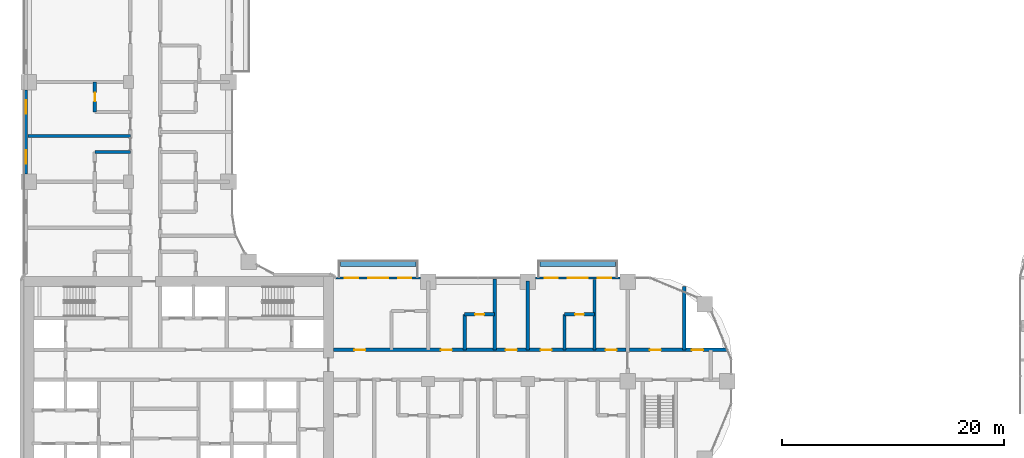
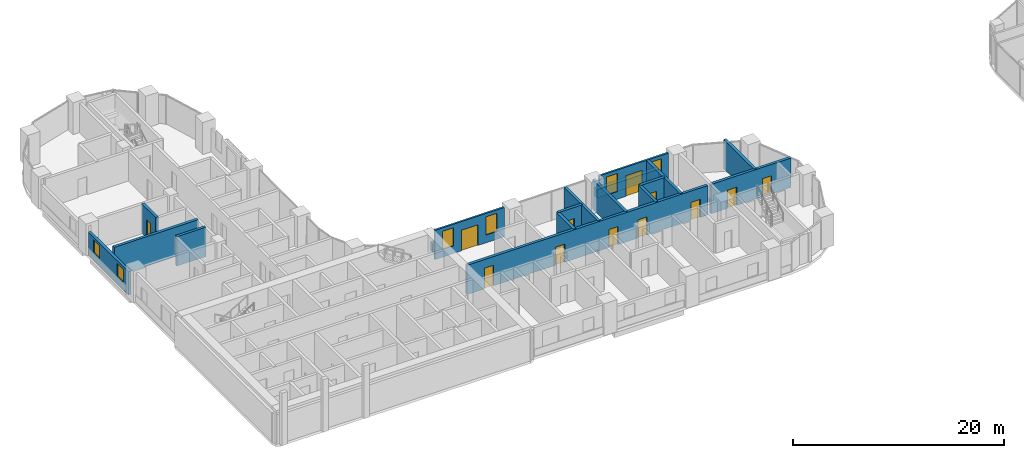
# One storey, part 17 of 30: 18 walls, 12 doors, 6 windows, 18 openings.
"""IFC4 building model written with IfcOpenShell, lengths in metres."""

from ifc_helpers import new_model, si_unit, direction, frame, frame_2d, origin, origin_2d, place, context, subcontext, project, spatial, rectangle, extrude, material, layer, layer_set, type_object, element, fill, save


model = new_model("IFC4")

# Units and contexts
model_context = context("Model", 3, precision=1e-05, world=origin(), true_north=direction((0.0, 1.0)))
body_context = subcontext(model_context, "Body", "Model", "MODEL_VIEW")
ifc_project = project(units=[si_unit("LENGTHUNIT", "METRE"), si_unit("AREAUNIT", "SQUARE_METRE"), si_unit("VOLUMEUNIT", "CUBIC_METRE"), si_unit("PLANEANGLEUNIT", "RADIAN"), si_unit("MASSUNIT", "GRAM", prefix="KILO")], contexts=[model_context])

# Site, building, storey
site_placement = place(None, origin())
site = spatial("IfcSite", under=ifc_project, at=site_placement, CompositionType="ELEMENT")
building_placement = place(site_placement, origin())
building = spatial("IfcBuilding", under=site, at=building_placement, Name="Ogive Portal Towers", CompositionType="ELEMENT")
storey_placement = place(building_placement, frame((0.0, 0.0, 37.199951171875)))
storey = spatial("IfcBuildingStorey", under=building, at=storey_placement, Name="L07", CompositionType="ELEMENT", Elevation=37.199951171875)

# Wall, openings, door, windows
ifc_material_1 = material(Name="Limestone cladding on lightweight block wall", Category="masonry")
ifc_layer_1 = layer(ifc_material_1, 0.199951171875)
ifc_layer_set_1 = layer_set([ifc_layer_1], Name="BALCONY BAY WALL 200")
wall_type_1 = type_object("IfcWallType", Name="BALCONY BAY WALL 200", PredefinedType="SOLIDWALL", material=ifc_layer_set_1)
wall_1_placement = place(storey_placement, frame((77.199951171875, 39.824951171875, 0.0), z_axis=(0.0, 0.0, 1.0), x_axis=(1.0, 0.0, 0.0)))
wall_1 = element("IfcWall", 1, at=wall_1_placement, inside=storey, type_object=wall_type_1, Name="A:L07:f27:bay0", PredefinedType="SOLIDWALL", context=body_context, shape_type="SweptSolid", body=[
    extrude(rectangle(XDim=7.60009765625, YDim=0.199951171875, at=frame_2d((3.800048828125, 0.0))), origin(), (0.0, 0.0, 1.0), 3.400146484375),
])
opening_1_placement = place(wall_1_placement, frame((2.89990234375, 0.0, 0.0)))
opening_1 = element("IfcOpeningElement", 2, at=opening_1_placement, cuts=wall_1, Name="Opening DX023", PredefinedType="OPENING", context=body_context, shape_type="SweptSolid", body=[
    extrude(rectangle(XDim=1.800048828125, YDim=2.39990234375, at=frame_2d((0.89990234375, 1.199951171875))), frame((0.0, 0.10986328125, 0.0), z_axis=(0.0, -1.0, 0.0), x_axis=(1.0, 0.0, 0.0)), (0.0, 0.0, 1.0), 0.219970703125),
])
opening_2_placement = place(wall_1_placement, frame((5.60009765625, 0.0, 0.89990234375)))
opening_2 = element("IfcOpeningElement", 3, at=opening_2_placement, cuts=wall_1, Name="Opening WN2", PredefinedType="OPENING", context=body_context, shape_type="SweptSolid", body=[
    extrude(rectangle(XDim=1.199951171875, YDim=2.10009765625, at=frame_2d((0.60009765625, 1.050048828125))), frame((0.0, 0.10986328125, 0.0), z_axis=(0.0, -1.0, 0.0), x_axis=(1.0, 0.0, 0.0)), (0.0, 0.0, 1.0), 0.219970703125),
])
opening_3_placement = place(wall_1_placement, frame((0.800048828125, 0.0, 0.89990234375)))
opening_3 = element("IfcOpeningElement", 4, at=opening_3_placement, cuts=wall_1, Name="Opening WN2", PredefinedType="OPENING", context=body_context, shape_type="SweptSolid", body=[
    extrude(rectangle(XDim=1.199951171875, YDim=2.10009765625, at=frame_2d((0.60009765625, 1.050048828125))), frame((0.0, 0.10986328125, 0.0), z_axis=(0.0, -1.0, 0.0), x_axis=(1.0, 0.0, 0.0)), (0.0, 0.0, 1.0), 0.219970703125),
])
ifc_material_2 = material(Name="Aluminium 6063 anodised", Category="aluminium")
door_type_1 = type_object("IfcDoorType", Name="BALCONY DOOR 1800x2400", OperationType="DOUBLE_DOOR_SINGLE_SWING", PredefinedType="DOOR", material=ifc_material_2)
door_1_placement = place(opening_1_placement, origin())
door_1 = element("IfcDoor", 5, at=door_1_placement, inside=storey, type_object=door_type_1, Name="A:L07:f27:bay0/o0", OperationType="SINGLE_SWING_LEFT", OverallHeight=2.39990234375, OverallWidth=1.800048828125, PredefinedType="DOOR", context=body_context, shape_type="SweptSolid", body=[
    extrude(rectangle(XDim=1.800048828125, YDim=2.39990234375, at=frame_2d((0.89990234375, 1.199951171875))), frame((0.0, 0.02490234375, 0.0), z_axis=(0.0, -1.0, 0.0), x_axis=(1.0, 0.0, 0.0)), (0.0, 0.0, 1.0), 0.050048828125),
])
fill(opening_1, door_1)
ifc_material_3 = material(Name="Glass, clear low-iron insulated glazing", Category="glass")
window_type_1 = type_object("IfcWindowType", Name="WINDOW BALCONY BAY 1200x2100", PartitioningType="SINGLE_PANEL", PredefinedType="WINDOW", material=ifc_material_3)
window_1_placement = place(opening_2_placement, origin())
window_1 = element("IfcWindow", 6, at=window_1_placement, inside=storey, type_object=window_type_1, Name="A:L07:f27:bay0/o1", OverallHeight=2.10009765625, OverallWidth=1.199951171875, PartitioningType="SINGLE_PANEL", PredefinedType="WINDOW", context=body_context, shape_type="SweptSolid", body=[
    extrude(rectangle(XDim=1.199951171875, YDim=2.10009765625, at=frame_2d((0.60009765625, 1.050048828125))), frame((0.0, 0.030029296875, 0.0), z_axis=(0.0, -1.0, 0.0), x_axis=(1.0, 0.0, 0.0)), (0.0, 0.0, 1.0), 0.06005859375),
])
fill(opening_2, window_1)
window_2_placement = place(opening_3_placement, origin())
window_2 = element("IfcWindow", 7, at=window_2_placement, inside=storey, type_object=window_type_1, Name="A:L07:f27:bay0/o2", OverallHeight=2.10009765625, OverallWidth=1.199951171875, PartitioningType="SINGLE_PANEL", PredefinedType="WINDOW", context=body_context, shape_type="SweptSolid", body=[
    extrude(rectangle(XDim=1.199951171875, YDim=2.10009765625, at=frame_2d((0.60009765625, 1.050048828125))), frame((0.0, 0.030029296875, 0.0), z_axis=(0.0, -1.0, 0.0), x_axis=(1.0, 0.0, 0.0)), (0.0, 0.0, 1.0), 0.06005859375),
])
fill(opening_3, window_2)

wall_2_placement = place(storey_placement, frame((59.206787109375, 39.824951171875, 0.0), z_axis=(0.0, 0.0, 1.0), x_axis=(1.0, 0.0, 0.0)))
wall_2 = element("IfcWall", 8, at=wall_2_placement, inside=storey, type_object=wall_type_1, Name="A:L07:f27:bay1", PredefinedType="SOLIDWALL", context=body_context, shape_type="SweptSolid", body=[
    extrude(rectangle(XDim=7.59326171875, YDim=0.199951171875, at=frame_2d((3.796630859375, 0.0))), origin(), (0.0, 0.0, 1.0), 3.400146484375),
])
opening_4_placement = place(wall_2_placement, frame((2.893310546875, 0.0, 0.0)))
opening_4 = element("IfcOpeningElement", 9, at=opening_4_placement, cuts=wall_2, Name="Opening DX024", PredefinedType="OPENING", context=body_context, shape_type="SweptSolid", body=[
    extrude(rectangle(XDim=1.800048828125, YDim=2.39990234375, at=frame_2d((0.89990234375, 1.199951171875))), frame((0.0, 0.10986328125, 0.0), z_axis=(0.0, -1.0, 0.0), x_axis=(1.0, 0.0, 0.0)), (0.0, 0.0, 1.0), 0.219970703125),
])
opening_5_placement = place(wall_2_placement, frame((5.59326171875, 0.0, 0.89990234375)))
opening_5 = element("IfcOpeningElement", 10, at=opening_5_placement, cuts=wall_2, Name="Opening WN2", PredefinedType="OPENING", context=body_context, shape_type="SweptSolid", body=[
    extrude(rectangle(XDim=1.199951171875, YDim=2.10009765625, at=frame_2d((0.60009765625, 1.050048828125))), frame((0.0, 0.10986328125, 0.0), z_axis=(0.0, -1.0, 0.0), x_axis=(1.0, 0.0, 0.0)), (0.0, 0.0, 1.0), 0.219970703125),
])
opening_6_placement = place(wall_2_placement, frame((0.793212890625, 0.0, 0.89990234375)))
opening_6 = element("IfcOpeningElement", 11, at=opening_6_placement, cuts=wall_2, Name="Opening WN2", PredefinedType="OPENING", context=body_context, shape_type="SweptSolid", body=[
    extrude(rectangle(XDim=1.199951171875, YDim=2.10009765625, at=frame_2d((0.60009765625, 1.050048828125))), frame((0.0, 0.10986328125, 0.0), z_axis=(0.0, -1.0, 0.0), x_axis=(1.0, 0.0, 0.0)), (0.0, 0.0, 1.0), 0.219970703125),
])
door_2_placement = place(opening_4_placement, origin())
door_2 = element("IfcDoor", 12, at=door_2_placement, inside=storey, type_object=door_type_1, Name="A:L07:f27:bay1/o0", OperationType="SINGLE_SWING_LEFT", OverallHeight=2.39990234375, OverallWidth=1.800048828125, PredefinedType="DOOR", context=body_context, shape_type="SweptSolid", body=[
    extrude(rectangle(XDim=1.800048828125, YDim=2.39990234375, at=frame_2d((0.89990234375, 1.199951171875))), frame((0.0, 0.02490234375, 0.0), z_axis=(0.0, -1.0, 0.0), x_axis=(1.0, 0.0, 0.0)), (0.0, 0.0, 1.0), 0.050048828125),
])
fill(opening_4, door_2)
window_3_placement = place(opening_5_placement, origin())
window_3 = element("IfcWindow", 13, at=window_3_placement, inside=storey, type_object=window_type_1, Name="A:L07:f27:bay1/o1", OverallHeight=2.10009765625, OverallWidth=1.199951171875, PartitioningType="SINGLE_PANEL", PredefinedType="WINDOW", context=body_context, shape_type="SweptSolid", body=[
    extrude(rectangle(XDim=1.199951171875, YDim=2.10009765625, at=frame_2d((0.60009765625, 1.050048828125))), frame((0.0, 0.030029296875, 0.0), z_axis=(0.0, -1.0, 0.0), x_axis=(1.0, 0.0, 0.0)), (0.0, 0.0, 1.0), 0.06005859375),
])
fill(opening_5, window_3)
window_4_placement = place(opening_6_placement, origin())
window_4 = element("IfcWindow", 14, at=window_4_placement, inside=storey, type_object=window_type_1, Name="A:L07:f27:bay1/o2", OverallHeight=2.10009765625, OverallWidth=1.199951171875, PartitioningType="SINGLE_PANEL", PredefinedType="WINDOW", context=body_context, shape_type="SweptSolid", body=[
    extrude(rectangle(XDim=1.199951171875, YDim=2.10009765625, at=frame_2d((0.60009765625, 1.050048828125))), frame((0.0, 0.030029296875, 0.0), z_axis=(0.0, -1.0, 0.0), x_axis=(1.0, 0.0, 0.0)), (0.0, 0.0, 1.0), 0.06005859375),
])
fill(opening_6, window_4)

# Wall, openings, windows
ifc_layer_2 = layer(ifc_material_1, 0.300048828125)
ifc_layer_set_2 = layer_set([ifc_layer_2], Name="EXTERNAL WALL 300 STONE")
wall_type_2 = type_object("IfcWallType", Name="EXTERNAL WALL 300 STONE", PredefinedType="SOLIDWALL", material=ifc_layer_set_2)
wall_3_placement = place(storey_placement, frame((31.22509765625, 56.800048828125, 0.0), z_axis=(0.0, 0.0, 1.0), x_axis=(0.0, -1.0, 0.0)))
wall_3 = element("IfcWall", 15, at=wall_3_placement, inside=storey, type_object=wall_type_2, Name="A:L07:f13:r0:wall3", PredefinedType="SOLIDWALL", context=body_context, shape_type="SweptSolid", body=[
    extrude(rectangle(XDim=7.60009765625, YDim=0.300048828125, at=frame_2d((3.800048828125, 0.0))), origin(), (0.0, 0.0, 1.0), 2.699951171875),
])
opening_7_placement = place(wall_3_placement, frame((0.949951171875, 0.0, 0.89990234375)))
opening_7 = element("IfcOpeningElement", 16, at=opening_7_placement, cuts=wall_3, Name="Opening WN9", PredefinedType="OPENING", context=body_context, shape_type="SweptSolid", body=[
    extrude(rectangle(XDim=1.199951171875, YDim=1.5, at=frame_2d((0.60009765625, 0.75))), frame((0.0, 0.16015625, 0.0), z_axis=(0.0, -1.0, 0.0), x_axis=(1.0, 0.0, 0.0)), (0.0, 0.0, 1.0), 0.320068359375),
])
opening_8_placement = place(wall_3_placement, frame((5.449951171875, 0.0, 0.89990234375)))
opening_8 = element("IfcOpeningElement", 17, at=opening_8_placement, cuts=wall_3, Name="Opening WN9", PredefinedType="OPENING", context=body_context, shape_type="SweptSolid", body=[
    extrude(rectangle(XDim=1.199951171875, YDim=1.5, at=frame_2d((0.60009765625, 0.75))), frame((0.0, 0.16015625, 0.0), z_axis=(0.0, -1.0, 0.0), x_axis=(1.0, 0.0, 0.0)), (0.0, 0.0, 1.0), 0.320068359375),
])
window_type_2 = type_object("IfcWindowType", Name="WINDOW HOTEL CASEMENT 1200x1500", PartitioningType="DOUBLE_PANEL_VERTICAL", PredefinedType="WINDOW", material=ifc_material_3)
window_5_placement = place(opening_7_placement, origin())
window_5 = element("IfcWindow", 18, at=window_5_placement, inside=storey, type_object=window_type_2, Name="A:L07:f13:r0:w2", OverallHeight=1.5, OverallWidth=1.199951171875, PartitioningType="SINGLE_PANEL", PredefinedType="WINDOW", context=body_context, shape_type="SweptSolid", body=[
    extrude(rectangle(XDim=1.199951171875, YDim=1.5, at=frame_2d((0.60009765625, 0.75))), frame((0.0, 0.030029296875, 0.0), z_axis=(0.0, -1.0, 0.0), x_axis=(1.0, 0.0, 0.0)), (0.0, 0.0, 1.0), 0.06005859375),
])
fill(opening_7, window_5)
window_6_placement = place(opening_8_placement, origin())
window_6 = element("IfcWindow", 19, at=window_6_placement, inside=storey, type_object=window_type_2, Name="A:L07:f13:r0:w3", OverallHeight=1.5, OverallWidth=1.199951171875, PartitioningType="SINGLE_PANEL", PredefinedType="WINDOW", context=body_context, shape_type="SweptSolid", body=[
    extrude(rectangle(XDim=1.199951171875, YDim=1.5, at=frame_2d((0.60009765625, 0.75))), frame((0.0, 0.030029296875, 0.0), z_axis=(0.0, -1.0, 0.0), x_axis=(1.0, 0.0, 0.0)), (0.0, 0.0, 1.0), 0.06005859375),
])
fill(opening_8, window_6)

# Walls
ifc_material_4 = material(Name="Concrete C40/50", Category="concrete")
ifc_layer_3 = layer(ifc_material_4, 0.449951171875)
ifc_layer_set_3 = layer_set([ifc_layer_3], Name="PLANTER WALL 450")
wall_type_3 = type_object("IfcWallType", Name="PLANTER WALL 450", PredefinedType="SOLIDWALL", material=ifc_layer_set_3)
for number, where, z_axis, x_axis, name in (
    (20, (63.0, 41.080078125, 0.0), (0.0, 0.0, 1.0), (1.0, 0.0, 0.0), "Planter T1"),
    (21, (81.0, 41.080078125, 0.0), (0.0, 0.0, 1.0), (1.0, 0.0, 0.0), "Planter T3"),
):
    element("IfcWall", number, at=place(storey_placement, frame(where, z_axis=z_axis, x_axis=x_axis)), inside=storey, type_object=wall_type_3, Name=name, PredefinedType="SOLIDWALL", context=body_context, shape_type="SweptSolid", body=[
        extrude(rectangle(XDim=6.800048828125, YDim=0.449951171875, at=origin_2d()), origin(), (0.0, 0.0, 1.0), 1.0),
    ])

# Wall, openings, doors
ifc_material_5 = material(Name="Gypsum board partition on steel studs", Category="steel")
ifc_layer_4 = layer(ifc_material_5, 0.300048828125)
ifc_layer_set_4 = layer_set([ifc_layer_4], Name="WT-PART-300-EI 120")
wall_type_4 = type_object("IfcWallType", Name="WT-PART-300-EI 120", PredefinedType="PARTITIONING", material=ifc_layer_set_4)
wall_4_placement = place(storey_placement, frame((58.949951171875, 33.35009765625, 0.0), z_axis=(0.0, 0.0, 1.0), x_axis=(1.0, 0.0, 0.0)))
wall_4 = element("IfcWall", 22, at=wall_4_placement, inside=storey, type_object=wall_type_4, Name="Wall L07:w009", PredefinedType="PARTITIONING", context=body_context, shape_type="SweptSolid", body=[
    extrude(rectangle(XDim=26.380126953125, YDim=0.300048828125, at=frame_2d((13.18994140625, 0.0))), origin(), (0.0, 0.0, 1.0), 3.400146484375),
])
opening_9_placement = place(wall_4_placement, frame((1.89990234375, 0.0, 0.0)))
opening_9 = element("IfcOpeningElement", 23, at=opening_9_placement, cuts=wall_4, Name="Opening D01-028", PredefinedType="OPENING", context=body_context, shape_type="SweptSolid", body=[
    extrude(rectangle(XDim=1.0, YDim=2.39990234375, at=frame_2d((0.5, 1.199951171875))), frame((0.0, 0.16015625, 0.0), z_axis=(0.0, -1.0, 0.0), x_axis=(1.0, 0.0, 0.0)), (0.0, 0.0, 1.0), 0.320068359375),
])
opening_10_placement = place(wall_4_placement, frame((9.699951171875, 0.0, 0.0)))
opening_10 = element("IfcOpeningElement", 24, at=opening_10_placement, cuts=wall_4, Name="Opening D01-034", PredefinedType="OPENING", context=body_context, shape_type="SweptSolid", body=[
    extrude(rectangle(XDim=1.0, YDim=2.10009765625, at=frame_2d((0.5, 1.050048828125))), frame((0.0, 0.16015625, 0.0), z_axis=(0.0, -1.0, 0.0), x_axis=(1.0, 0.0, 0.0)), (0.0, 0.0, 1.0), 0.320068359375),
])
opening_11_placement = place(wall_4_placement, frame((15.550048828125, 0.0, 0.0)))
opening_11 = element("IfcOpeningElement", 25, at=opening_11_placement, cuts=wall_4, Name="Opening D01-035", PredefinedType="OPENING", context=body_context, shape_type="SweptSolid", body=[
    extrude(rectangle(XDim=1.0, YDim=2.10009765625, at=frame_2d((0.5, 1.050048828125))), frame((0.0, 0.16015625, 0.0), z_axis=(0.0, -1.0, 0.0), x_axis=(1.0, 0.0, 0.0)), (0.0, 0.0, 1.0), 0.320068359375),
])
opening_12_placement = place(wall_4_placement, frame((18.699951171875, 0.0, 0.0)))
opening_12 = element("IfcOpeningElement", 26, at=opening_12_placement, cuts=wall_4, Name="Opening D01-041", PredefinedType="OPENING", context=body_context, shape_type="SweptSolid", body=[
    extrude(rectangle(XDim=1.0, YDim=2.10009765625, at=frame_2d((0.5, 1.050048828125))), frame((0.0, 0.16015625, 0.0), z_axis=(0.0, -1.0, 0.0), x_axis=(1.0, 0.0, 0.0)), (0.0, 0.0, 1.0), 0.320068359375),
])
opening_13_placement = place(wall_4_placement, frame((24.550048828125, 0.0, 0.0)))
opening_13 = element("IfcOpeningElement", 27, at=opening_13_placement, cuts=wall_4, Name="Opening D01-042", PredefinedType="OPENING", context=body_context, shape_type="SweptSolid", body=[
    extrude(rectangle(XDim=1.0, YDim=2.10009765625, at=frame_2d((0.5, 1.050048828125))), frame((0.0, 0.16015625, 0.0), z_axis=(0.0, -1.0, 0.0), x_axis=(1.0, 0.0, 0.0)), (0.0, 0.0, 1.0), 0.320068359375),
])
ifc_material_6 = material(Name="Steel fire door", Category="steel")
door_type_2 = type_object("IfcDoorType", Name="DT-ENTRY-1000x2100-FD90S", OperationType="SINGLE_SWING_LEFT", PredefinedType="DOOR", material=ifc_material_6)
door_3_placement = place(opening_10_placement, origin())
door_3 = element("IfcDoor", 28, at=door_3_placement, inside=storey, type_object=door_type_2, Name="Door D01-034", OperationType="SINGLE_SWING_LEFT", OverallHeight=2.10009765625, OverallWidth=1.0, PredefinedType="DOOR", context=body_context, shape_type="SweptSolid", body=[
    extrude(rectangle(XDim=1.0, YDim=2.10009765625, at=frame_2d((0.5, 1.050048828125))), frame((0.0, 0.02490234375, 0.0), z_axis=(0.0, -1.0, 0.0), x_axis=(1.0, 0.0, 0.0)), (0.0, 0.0, 1.0), 0.050048828125),
])
fill(opening_10, door_3)
door_4_placement = place(opening_11_placement, origin())
door_4 = element("IfcDoor", 29, at=door_4_placement, inside=storey, type_object=door_type_2, Name="Door D01-035", OperationType="SINGLE_SWING_RIGHT", OverallHeight=2.10009765625, OverallWidth=1.0, PredefinedType="DOOR", context=body_context, shape_type="SweptSolid", body=[
    extrude(rectangle(XDim=1.0, YDim=2.10009765625, at=frame_2d((0.5, 1.050048828125))), frame((0.0, 0.02490234375, 0.0), z_axis=(0.0, -1.0, 0.0), x_axis=(1.0, 0.0, 0.0)), (0.0, 0.0, 1.0), 0.050048828125),
])
fill(opening_11, door_4)
door_5_placement = place(opening_12_placement, origin())
door_5 = element("IfcDoor", 30, at=door_5_placement, inside=storey, type_object=door_type_2, Name="Door D01-041", OperationType="SINGLE_SWING_LEFT", OverallHeight=2.10009765625, OverallWidth=1.0, PredefinedType="DOOR", context=body_context, shape_type="SweptSolid", body=[
    extrude(rectangle(XDim=1.0, YDim=2.10009765625, at=frame_2d((0.5, 1.050048828125))), frame((0.0, 0.02490234375, 0.0), z_axis=(0.0, -1.0, 0.0), x_axis=(1.0, 0.0, 0.0)), (0.0, 0.0, 1.0), 0.050048828125),
])
fill(opening_12, door_5)
door_6_placement = place(opening_13_placement, origin())
door_6 = element("IfcDoor", 31, at=door_6_placement, inside=storey, type_object=door_type_2, Name="Door D01-042", OperationType="SINGLE_SWING_LEFT", OverallHeight=2.10009765625, OverallWidth=1.0, PredefinedType="DOOR", context=body_context, shape_type="SweptSolid", body=[
    extrude(rectangle(XDim=1.0, YDim=2.10009765625, at=frame_2d((0.5, 1.050048828125))), frame((0.0, 0.02490234375, 0.0), z_axis=(0.0, -1.0, 0.0), x_axis=(1.0, 0.0, 0.0)), (0.0, 0.0, 1.0), 0.050048828125),
])
fill(opening_13, door_6)
door_type_3 = type_object("IfcDoorType", Name="DT-ENTRY-1000x2400-FD90S", OperationType="SINGLE_SWING_LEFT", PredefinedType="DOOR", material=ifc_material_6)
door_7_placement = place(opening_9_placement, origin())
door_7 = element("IfcDoor", 32, at=door_7_placement, inside=storey, type_object=door_type_3, Name="Door D01-028", OperationType="SINGLE_SWING_LEFT", OverallHeight=2.39990234375, OverallWidth=1.0, PredefinedType="DOOR", context=body_context, shape_type="SweptSolid", body=[
    extrude(rectangle(XDim=1.0, YDim=2.39990234375, at=frame_2d((0.5, 1.199951171875))), frame((0.0, 0.02490234375, 0.0), z_axis=(0.0, -1.0, 0.0), x_axis=(1.0, 0.0, 0.0)), (0.0, 0.0, 1.0), 0.050048828125),
])
fill(opening_9, door_7)

wall_5_placement = place(storey_placement, frame((85.669921875, 33.35009765625, 0.0), z_axis=(0.0, 0.0, 1.0), x_axis=(1.0, 0.0, 0.0)))
wall_5 = element("IfcWall", 33, at=wall_5_placement, inside=storey, type_object=wall_type_4, Name="Wall L07:w010", PredefinedType="PARTITIONING", context=body_context, shape_type="SweptSolid", body=[
    extrude(rectangle(XDim=8.7900390625, YDim=0.300048828125, at=frame_2d((4.39501953125, 0.0))), origin(), (0.0, 0.0, 1.0), 3.400146484375),
])
opening_14_placement = place(wall_5_placement, frame((1.830078125, 0.0, 0.0)))
opening_14 = element("IfcOpeningElement", 34, at=opening_14_placement, cuts=wall_5, Name="Opening D01-068", PredefinedType="OPENING", context=body_context, shape_type="SweptSolid", body=[
    extrude(rectangle(XDim=1.0, YDim=2.10009765625, at=frame_2d((0.5, 1.050048828125))), frame((0.0, 0.16015625, 0.0), z_axis=(0.0, -1.0, 0.0), x_axis=(1.0, 0.0, 0.0)), (0.0, 0.0, 1.0), 0.320068359375),
])
opening_15_placement = place(wall_5_placement, frame((5.6298828125, 0.0, 0.0)))
opening_15 = element("IfcOpeningElement", 35, at=opening_15_placement, cuts=wall_5, Name="Opening D01-069", PredefinedType="OPENING", context=body_context, shape_type="SweptSolid", body=[
    extrude(rectangle(XDim=1.0, YDim=2.10009765625, at=frame_2d((0.5, 1.050048828125))), frame((0.0, 0.16015625, 0.0), z_axis=(0.0, -1.0, 0.0), x_axis=(1.0, 0.0, 0.0)), (0.0, 0.0, 1.0), 0.320068359375),
])
door_type_4 = type_object("IfcDoorType", Name="DT-SERVICE-1000x2100-FD90S", OperationType="SINGLE_SWING_LEFT", PredefinedType="DOOR", material=ifc_material_6)
door_8_placement = place(opening_14_placement, origin())
door_8 = element("IfcDoor", 36, at=door_8_placement, inside=storey, type_object=door_type_4, Name="Door D01-068", OperationType="SINGLE_SWING_LEFT", OverallHeight=2.10009765625, OverallWidth=1.0, PredefinedType="DOOR", context=body_context, shape_type="SweptSolid", body=[
    extrude(rectangle(XDim=1.0, YDim=2.10009765625, at=frame_2d((0.5, 1.050048828125))), frame((0.0, 0.02490234375, 0.0), z_axis=(0.0, -1.0, 0.0), x_axis=(1.0, 0.0, 0.0)), (0.0, 0.0, 1.0), 0.050048828125),
])
fill(opening_14, door_8)
door_9_placement = place(opening_15_placement, origin())
door_9 = element("IfcDoor", 37, at=door_9_placement, inside=storey, type_object=door_type_4, Name="Riser access door D01-069", OperationType="SINGLE_SWING_RIGHT", OverallHeight=2.10009765625, OverallWidth=1.0, PredefinedType="DOOR", context=body_context, shape_type="SweptSolid", body=[
    extrude(rectangle(XDim=1.0, YDim=2.10009765625, at=frame_2d((0.5, 1.050048828125))), frame((0.0, 0.02490234375, 0.0), z_axis=(0.0, -1.0, 0.0), x_axis=(1.0, 0.0, 0.0)), (0.0, 0.0, 1.0), 0.050048828125),
])
fill(opening_15, door_9)

# Wall, opening, door
ifc_layer_5 = layer(ifc_material_5, 0.300048828125)
ifc_layer_set_5 = layer_set([ifc_layer_5], Name="WT-PART-300-EI 60")
wall_type_5 = type_object("IfcWallType", Name="WT-PART-300-EI 60", PredefinedType="PARTITIONING", material=ifc_layer_set_5)
wall_6_placement = place(storey_placement, frame((70.800048828125, 36.550048828125, 0.0), z_axis=(0.0, 0.0, 1.0), x_axis=(1.0, 0.0, 0.0)))
wall_6 = element("IfcWall", 38, at=wall_6_placement, inside=storey, type_object=wall_type_5, Name="Wall L07:w011", PredefinedType="PARTITIONING", context=body_context, shape_type="SweptSolid", body=[
    extrude(rectangle(XDim=2.699951171875, YDim=0.300048828125, at=frame_2d((1.35009765625, 0.0))), origin(), (0.0, 0.0, 1.0), 3.400146484375),
])
opening_16_placement = place(wall_6_placement, frame((0.949951171875, 0.0, 0.0)))
opening_16 = element("IfcOpeningElement", 39, at=opening_16_placement, cuts=wall_6, Name="Opening D01-033", PredefinedType="OPENING", context=body_context, shape_type="SweptSolid", body=[
    extrude(rectangle(XDim=0.800048828125, YDim=2.10009765625, at=frame_2d((0.39990234375, 1.050048828125))), frame((0.0, 0.16015625, 0.0), z_axis=(0.0, -1.0, 0.0), x_axis=(1.0, 0.0, 0.0)), (0.0, 0.0, 1.0), 0.320068359375),
])
door_type_5 = type_object("IfcDoorType", Name="DT-BATH-800x2100-FD60S", OperationType="SINGLE_SWING_LEFT", PredefinedType="DOOR", material=ifc_material_6)
door_10_placement = place(opening_16_placement, origin())
door_10 = element("IfcDoor", 40, at=door_10_placement, inside=storey, type_object=door_type_5, Name="Door D01-033", OperationType="SINGLE_SWING_LEFT", OverallHeight=2.10009765625, OverallWidth=0.800048828125, PredefinedType="DOOR", context=body_context, shape_type="SweptSolid", body=[
    extrude(rectangle(XDim=0.800048828125, YDim=2.10009765625, at=frame_2d((0.39990234375, 1.050048828125))), frame((0.0, 0.02490234375, 0.0), z_axis=(0.0, -1.0, 0.0), x_axis=(1.0, 0.0, 0.0)), (0.0, 0.0, 1.0), 0.050048828125),
])
fill(opening_16, door_10)

wall_7_placement = place(storey_placement, frame((79.800048828125, 36.550048828125, 0.0), z_axis=(0.0, 0.0, 1.0), x_axis=(1.0, 0.0, 0.0)))
wall_7 = element("IfcWall", 41, at=wall_7_placement, inside=storey, type_object=wall_type_5, Name="Wall L07:w012", PredefinedType="PARTITIONING", context=body_context, shape_type="SweptSolid", body=[
    extrude(rectangle(XDim=2.699951171875, YDim=0.300048828125, at=frame_2d((1.35009765625, 0.0))), origin(), (0.0, 0.0, 1.0), 3.400146484375),
])
opening_17_placement = place(wall_7_placement, frame((0.949951171875, 0.0, 0.0)))
opening_17 = element("IfcOpeningElement", 42, at=opening_17_placement, cuts=wall_7, Name="Opening D01-040", PredefinedType="OPENING", context=body_context, shape_type="SweptSolid", body=[
    extrude(rectangle(XDim=0.800048828125, YDim=2.10009765625, at=frame_2d((0.39990234375, 1.050048828125))), frame((0.0, 0.16015625, 0.0), z_axis=(0.0, -1.0, 0.0), x_axis=(1.0, 0.0, 0.0)), (0.0, 0.0, 1.0), 0.320068359375),
])
door_11_placement = place(opening_17_placement, origin())
door_11 = element("IfcDoor", 43, at=door_11_placement, inside=storey, type_object=door_type_5, Name="Door D01-040", OperationType="SINGLE_SWING_RIGHT", OverallHeight=2.10009765625, OverallWidth=0.800048828125, PredefinedType="DOOR", context=body_context, shape_type="SweptSolid", body=[
    extrude(rectangle(XDim=0.800048828125, YDim=2.10009765625, at=frame_2d((0.39990234375, 1.050048828125))), frame((0.0, 0.02490234375, 0.0), z_axis=(0.0, -1.0, 0.0), x_axis=(1.0, 0.0, 0.0)), (0.0, 0.0, 1.0), 0.050048828125),
])
fill(opening_17, door_11)

# Walls
wall_8_placement = place(storey_placement, frame((37.449951171875, 51.199951171875, 0.0), z_axis=(0.0, 0.0, 1.0), x_axis=(1.0, 0.0, 0.0)))
element("IfcWall", 44, at=wall_8_placement, inside=storey, type_object=wall_type_5, Name="Wall L07:w022", PredefinedType="PARTITIONING", context=body_context, shape_type="SweptSolid", body=[
    extrude(rectangle(XDim=3.199951171875, YDim=0.300048828125, at=frame_2d((1.60009765625, 0.0))), origin(), (0.0, 0.0, 1.0), 3.400146484375),
])
wall_9_placement = place(storey_placement, frame((31.425048828125, 52.639892578125, 0.0), z_axis=(0.0, 0.0, 1.0), x_axis=(1.0, 0.0, 0.0)))
element("IfcWall", 45, at=wall_9_placement, inside=storey, type_object=wall_type_5, Name="Wall L07:w024", PredefinedType="PARTITIONING", context=body_context, shape_type="SweptSolid", body=[
    extrude(rectangle(XDim=9.224853515625, YDim=0.300048828125, at=frame_2d((4.6123046875, 0.0))), origin(), (0.0, 0.0, 1.0), 3.400146484375),
])

# Wall, opening, door
wall_10_placement = place(storey_placement, frame((37.449951171875, 54.800048828125, 0.0), z_axis=(0.0, 0.0, 1.0), x_axis=(0.0, 1.0, 0.0)))
wall_10 = element("IfcWall", 46, at=wall_10_placement, inside=storey, type_object=wall_type_5, Name="Wall L07:w038", PredefinedType="PARTITIONING", context=body_context, shape_type="SweptSolid", body=[
    extrude(rectangle(XDim=2.699951171875, YDim=0.300048828125, at=frame_2d((1.35009765625, 0.0))), origin(), (0.0, 0.0, 1.0), 3.400146484375),
])
opening_18_placement = place(wall_10_placement, frame((0.949951171875, 0.0, 0.0)))
opening_18 = element("IfcOpeningElement", 47, at=opening_18_placement, cuts=wall_10, Name="Opening D01-060", PredefinedType="OPENING", context=body_context, shape_type="SweptSolid", body=[
    extrude(rectangle(XDim=0.800048828125, YDim=2.10009765625, at=frame_2d((0.39990234375, 1.050048828125))), frame((0.0, 0.16015625, 0.0), z_axis=(0.0, -1.0, 0.0), x_axis=(1.0, 0.0, 0.0)), (0.0, 0.0, 1.0), 0.320068359375),
])
door_12_placement = place(opening_18_placement, origin())
door_12 = element("IfcDoor", 48, at=door_12_placement, inside=storey, type_object=door_type_5, Name="Door D01-060", OperationType="SINGLE_SWING_LEFT", OverallHeight=2.10009765625, OverallWidth=0.800048828125, PredefinedType="DOOR", context=body_context, shape_type="SweptSolid", body=[
    extrude(rectangle(XDim=0.800048828125, YDim=2.10009765625, at=frame_2d((0.39990234375, 1.050048828125))), frame((0.0, 0.02490234375, 0.0), z_axis=(0.0, -1.0, 0.0), x_axis=(1.0, 0.0, 0.0)), (0.0, 0.0, 1.0), 0.050048828125),
])
fill(opening_18, door_12)

# Walls
wall_11_placement = place(storey_placement, frame((70.800048828125, 33.35009765625, 0.0), z_axis=(0.0, 0.0, 1.0), x_axis=(0.0, 1.0, 0.0)))
element("IfcWall", 49, at=wall_11_placement, inside=storey, type_object=wall_type_5, Name="Wall L07:w055", PredefinedType="PARTITIONING", context=body_context, shape_type="SweptSolid", body=[
    extrude(rectangle(XDim=3.199951171875, YDim=0.300048828125, at=frame_2d((1.60009765625, 0.0))), origin(), (0.0, 0.0, 1.0), 3.400146484375),
])
wall_12_placement = place(storey_placement, frame((73.5, 33.35009765625, 0.0), z_axis=(0.0, 0.0, 1.0), x_axis=(0.0, 1.0, 0.0)))
element("IfcWall", 50, at=wall_12_placement, inside=storey, type_object=wall_type_5, Name="Wall L07:w058", PredefinedType="PARTITIONING", context=body_context, shape_type="SweptSolid", body=[
    extrude(rectangle(XDim=6.40478515625, YDim=0.300048828125, at=frame_2d((3.202392578125, 0.0))), origin(), (0.0, 0.0, 1.0), 3.400146484375),
])
wall_13_placement = place(storey_placement, frame((76.5, 33.35009765625, 0.0), z_axis=(0.0, 0.0, 1.0), x_axis=(0.0, 1.0, 0.0)))
element("IfcWall", 51, at=wall_13_placement, inside=storey, type_object=wall_type_5, Name="Wall L07:w060", PredefinedType="PARTITIONING", context=body_context, shape_type="SweptSolid", body=[
    extrude(rectangle(XDim=6.224853515625, YDim=0.300048828125, at=frame_2d((3.1123046875, 0.0))), origin(), (0.0, 0.0, 1.0), 3.400146484375),
])
wall_14_placement = place(storey_placement, frame((79.800048828125, 33.35009765625, 0.0), z_axis=(0.0, 0.0, 1.0), x_axis=(0.0, 1.0, 0.0)))
element("IfcWall", 52, at=wall_14_placement, inside=storey, type_object=wall_type_5, Name="Wall L07:w061", PredefinedType="PARTITIONING", context=body_context, shape_type="SweptSolid", body=[
    extrude(rectangle(XDim=3.199951171875, YDim=0.300048828125, at=frame_2d((1.60009765625, 0.0))), origin(), (0.0, 0.0, 1.0), 3.400146484375),
])
wall_15_placement = place(storey_placement, frame((82.5, 33.35009765625, 0.0), z_axis=(0.0, 0.0, 1.0), x_axis=(0.0, 1.0, 0.0)))
element("IfcWall", 53, at=wall_15_placement, inside=storey, type_object=wall_type_5, Name="Wall L07:w063", PredefinedType="PARTITIONING", context=body_context, shape_type="SweptSolid", body=[
    extrude(rectangle(XDim=6.364990234375, YDim=0.300048828125, at=frame_2d((3.1826171875, 0.0))), origin(), (0.0, 0.0, 1.0), 3.400146484375),
])
wall_16_placement = place(storey_placement, frame((90.60009765625, 33.35009765625, 0.0), z_axis=(0.0, 0.0, 1.0), x_axis=(0.0, 1.0, 0.0)))
element("IfcWall", 54, at=wall_16_placement, inside=storey, type_object=wall_type_5, Name="Wall L07:w067", PredefinedType="PARTITIONING", context=body_context, shape_type="SweptSolid", body=[
    extrude(rectangle(XDim=5.7158203125, YDim=0.300048828125, at=frame_2d((2.85791015625, 0.0))), origin(), (0.0, 0.0, 1.0), 3.400146484375),
])

save(model, "model.ifc")
